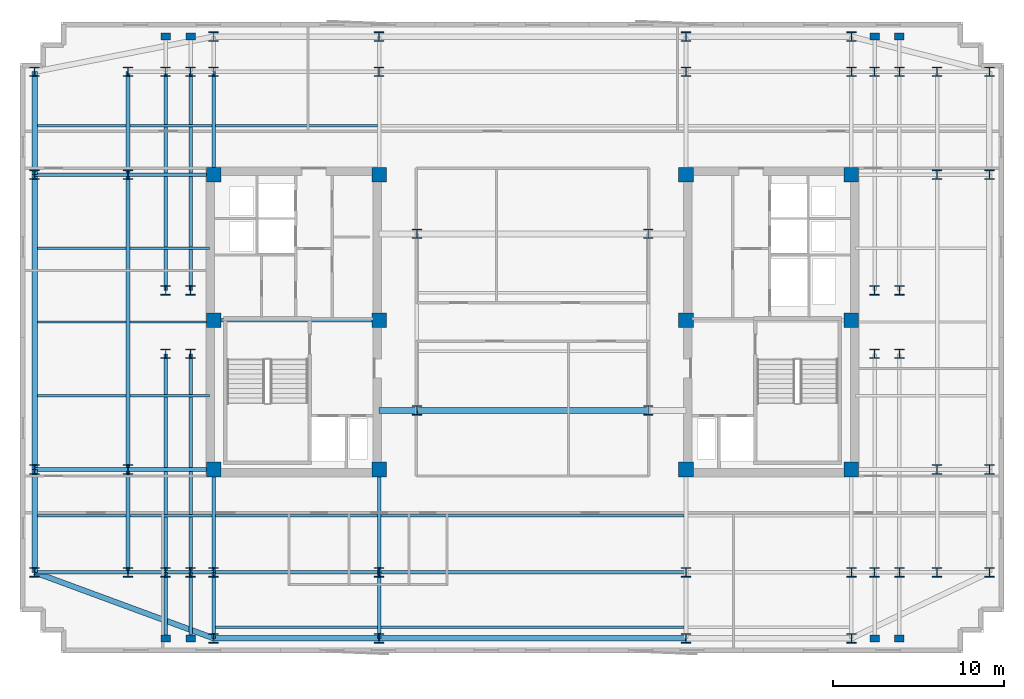
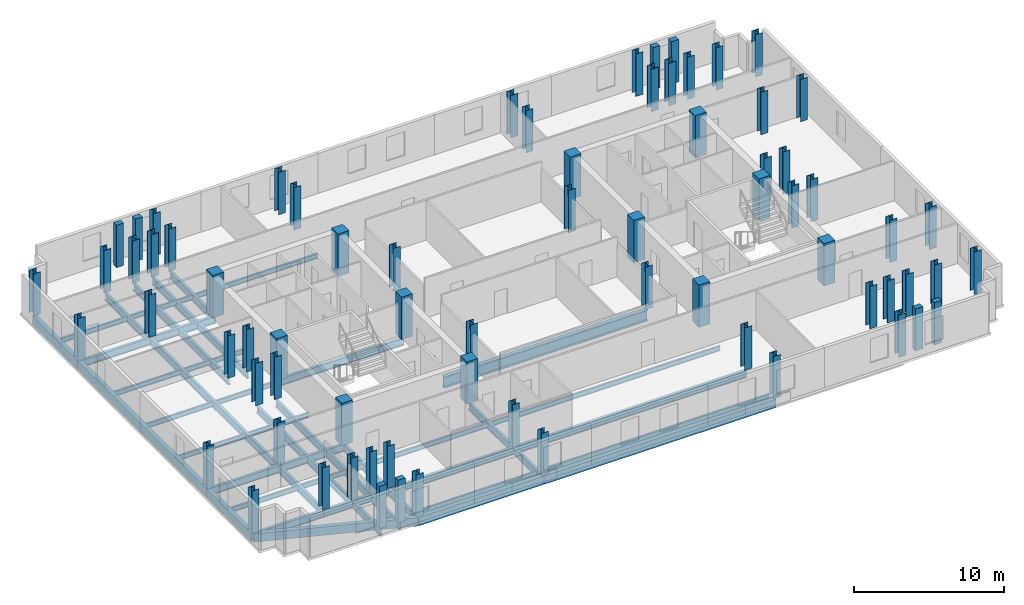
# One storey, part 1 of 9: 72 columns, 46 beams.
"""IFC4 building model written with IfcOpenShell, lengths in metres."""

from ifc_helpers import new_model, si_unit, direction, frame, origin, origin_2d, place, context, subcontext, project, spatial, rectangle, i_section, extrude, material, material_profile, profile_set, type_object, element, save


model = new_model("IFC4")

# Units and contexts
model_context = context("Model", 3, precision=1e-05, world=origin(), true_north=direction((0.0, 1.0)))
body_context = subcontext(model_context, "Body", "Model", "MODEL_VIEW")
ifc_project = project(units=[si_unit("LENGTHUNIT", "METRE"), si_unit("AREAUNIT", "SQUARE_METRE"), si_unit("VOLUMEUNIT", "CUBIC_METRE"), si_unit("PLANEANGLEUNIT", "RADIAN"), si_unit("MASSUNIT", "GRAM", prefix="KILO")], contexts=[model_context])

# Site, building, storey
site_placement = place(None, origin())
site = spatial("IfcSite", under=ifc_project, at=site_placement, CompositionType="ELEMENT")
building_placement = place(site_placement, origin())
building = spatial("IfcBuilding", under=site, at=building_placement, Name="Velakula Bourse", CompositionType="ELEMENT")
storey_placement = place(building_placement, frame((0.0, 0.0, 215.39990234375)))
storey = spatial("IfcBuildingStorey", under=building, at=storey_placement, Name="L58", CompositionType="ELEMENT", Elevation=215.39990234375)

# Columns
ifc_material_1 = material(Name="Concrete M50 (fck 50 MPa)", Category="concrete")
ifc_material_profile_1 = material_profile(ifc_material_1, rectangle(XDim=0.85009765625, YDim=0.85009765625, at=origin_2d()), Name="Concrete M50 (fck 50 MPa)")
ifc_profile_set_1 = profile_set([ifc_material_profile_1], Name="Concrete M50 (fck 50 MPa)")
column_type_1 = type_object("IfcColumnType", Name="COL-RC-850", PredefinedType="COLUMN", material=ifc_profile_set_1)
for number, where, z_axis, x_axis, name in (
    (1, (-8.949951171875, -8.60009765625, 0.0), (0.0, 0.0, 1.0), (1.0, 0.0, 0.0), "L58 Core Boundary Column 01"),
    (2, (-8.949951171875, 0.10009765625, 0.0), (0.0, 0.0, 1.0), (1.0, 0.0, 0.0), "L58 Core Boundary Column 02"),
    (3, (-8.949951171875, 8.60009765625, 0.0), (0.0, 0.0, 1.0), (1.0, 0.0, 0.0), "L58 Core Boundary Column 03"),
    (4, (-18.60009765625, -8.60009765625, 0.0), (0.0, 0.0, 1.0), (1.0, 0.0, 0.0), "L58 Core Boundary Column 04"),
    (5, (-18.60009765625, 0.10009765625, 0.0), (0.0, 0.0, 1.0), (1.0, 0.0, 0.0), "L58 Core Boundary Column 05"),
    (6, (-18.60009765625, 8.60009765625, 0.0), (0.0, 0.0, 1.0), (1.0, 0.0, 0.0), "L58 Core Boundary Column 06"),
    (7, (8.949951171875, -8.60009765625, 0.0), (0.0, 0.0, 1.0), (1.0, 0.0, 0.0), "L58 Core Boundary Column 07"),
    (8, (8.949951171875, 0.10009765625, 0.0), (0.0, 0.0, 1.0), (1.0, 0.0, 0.0), "L58 Core Boundary Column 08"),
    (9, (8.949951171875, 8.60009765625, 0.0), (0.0, 0.0, 1.0), (1.0, 0.0, 0.0), "L58 Core Boundary Column 09"),
    (10, (18.60009765625, -8.60009765625, 0.0), (0.0, 0.0, 1.0), (1.0, 0.0, 0.0), "L58 Core Boundary Column 10"),
    (11, (18.60009765625, 0.10009765625, 0.0), (0.0, 0.0, 1.0), (1.0, 0.0, 0.0), "L58 Core Boundary Column 11"),
    (12, (18.60009765625, 8.60009765625, 0.0), (0.0, 0.0, 1.0), (1.0, 0.0, 0.0), "L58 Core Boundary Column 12"),
):
    element("IfcColumn", number, at=place(storey_placement, frame(where, z_axis=z_axis, x_axis=x_axis)), inside=storey, type_object=column_type_1, Name=name, PredefinedType="COLUMN", context=body_context, shape_type="SweptSolid", body=[
        extrude(rectangle(XDim=0.85009765625, YDim=0.85009765625, at=origin_2d()), origin(), (0.0, 0.0, 1.0), 3.4501953125),
    ])
ifc_material_2 = material(Name="Steel IS 2062 Grade 350 (E350)", Category="steel")
ifc_material_profile_2 = material_profile(ifc_material_2, i_section(OverallWidth=0.550048828125, OverallDepth=0.550048828125, WebThickness=0.02392578125, FlangeThickness=0.035888671875, at=origin_2d()), Name="Steel IS 2062 Grade 350 (E350)")
ifc_profile_set_2 = profile_set([ifc_material_profile_2], Name="Steel IS 2062 Grade 350 (E350)")
column_type_2 = type_object("IfcColumnType", Name="COL-STL-550", PredefinedType="COLUMN", material=ifc_profile_set_2)
for number, where, z_axis, x_axis, name in (
    (13, (-6.75, -5.14990234375, 0.0), (0.0, 0.0, 1.0), (1.0, 0.0, 0.0), "L58 Central Spine Column 01"),
    (14, (-6.75, 5.14990234375, 0.0), (0.0, 0.0, 1.0), (1.0, 0.0, 0.0), "L58 Central Spine Column 02"),
    (15, (6.75, -5.14990234375, 0.0), (0.0, 0.0, 1.0), (1.0, 0.0, 0.0), "L58 Central Spine Column 03"),
    (16, (6.75, 5.14990234375, 0.0), (0.0, 0.0, 1.0), (1.0, 0.0, 0.0), "L58 Central Spine Column 04"),
    (17, (-21.39990234375, -14.60009765625, 0.0), (0.0, 0.0, 1.0), (1.0, 0.0, 0.0), "L58 Tower Fulcrum Column 01"),
    (18, (-21.39990234375, 14.60009765625, 0.0), (0.0, 0.0, 1.0), (1.0, 0.0, 0.0), "L58 Tower Fulcrum Column 02"),
    (19, (-19.949951171875, -14.60009765625, 0.0), (0.0, 0.0, 1.0), (1.0, 0.0, 0.0), "L58 Tower Fulcrum Column 03"),
    (20, (-19.949951171875, 14.60009765625, 0.0), (0.0, 0.0, 1.0), (1.0, 0.0, 0.0), "L58 Tower Fulcrum Column 04"),
    (21, (-18.60009765625, -14.60009765625, 0.0), (0.0, 0.0, 1.0), (1.0, 0.0, 0.0), "L58 Tower Fulcrum Column 05"),
    (22, (-18.60009765625, 14.60009765625, 0.0), (0.0, 0.0, 1.0), (1.0, 0.0, 0.0), "L58 Tower Fulcrum Column 06"),
    (23, (-8.949951171875, -14.60009765625, 0.0), (0.0, 0.0, 1.0), (1.0, 0.0, 0.0), "L58 Tower Fulcrum Column 07"),
    (24, (-8.949951171875, 14.60009765625, 0.0), (0.0, 0.0, 1.0), (1.0, 0.0, 0.0), "L58 Tower Fulcrum Column 08"),
    (25, (8.949951171875, -14.60009765625, 0.0), (0.0, 0.0, 1.0), (1.0, 0.0, 0.0), "L58 Tower Fulcrum Column 09"),
    (26, (8.949951171875, 14.60009765625, 0.0), (0.0, 0.0, 1.0), (1.0, 0.0, 0.0), "L58 Tower Fulcrum Column 10"),
    (27, (18.60009765625, -14.60009765625, 0.0), (0.0, 0.0, 1.0), (1.0, 0.0, 0.0), "L58 Tower Fulcrum Column 11"),
    (28, (18.60009765625, 14.60009765625, 0.0), (0.0, 0.0, 1.0), (1.0, 0.0, 0.0), "L58 Tower Fulcrum Column 12"),
    (29, (19.949951171875, -14.60009765625, 0.0), (0.0, 0.0, 1.0), (1.0, 0.0, 0.0), "L58 Tower Fulcrum Column 13"),
    (30, (19.949951171875, 14.60009765625, 0.0), (0.0, 0.0, 1.0), (1.0, 0.0, 0.0), "L58 Tower Fulcrum Column 14"),
    (31, (21.39990234375, -14.60009765625, 0.0), (0.0, 0.0, 1.0), (1.0, 0.0, 0.0), "L58 Tower Fulcrum Column 15"),
    (32, (21.39990234375, 14.60009765625, 0.0), (0.0, 0.0, 1.0), (1.0, 0.0, 0.0), "L58 Tower Fulcrum Column 16"),
    (33, (-21.39990234375, -1.85009765625, 0.0), (0.0, 0.0, 1.0), (1.0, 0.0, 0.0), "L58 Tower Fulcrum Column 17"),
    (34, (-21.39990234375, 1.85009765625, 0.0), (0.0, 0.0, 1.0), (1.0, 0.0, 0.0), "L58 Tower Fulcrum Column 18"),
    (35, (-19.949951171875, -1.85009765625, 0.0), (0.0, 0.0, 1.0), (1.0, 0.0, 0.0), "L58 Tower Fulcrum Column 19"),
    (36, (-19.949951171875, 1.85009765625, 0.0), (0.0, 0.0, 1.0), (1.0, 0.0, 0.0), "L58 Tower Fulcrum Column 20"),
    (37, (19.949951171875, -1.85009765625, 0.0), (0.0, 0.0, 1.0), (1.0, 0.0, 0.0), "L58 Tower Fulcrum Column 21"),
    (38, (19.949951171875, 1.85009765625, 0.0), (0.0, 0.0, 1.0), (1.0, 0.0, 0.0), "L58 Tower Fulcrum Column 22"),
    (39, (21.39990234375, -1.85009765625, 0.0), (0.0, 0.0, 1.0), (1.0, 0.0, 0.0), "L58 Tower Fulcrum Column 23"),
    (40, (21.39990234375, 1.85009765625, 0.0), (0.0, 0.0, 1.0), (1.0, 0.0, 0.0), "L58 Tower Fulcrum Column 24"),
    (41, (-23.60009765625, -14.60009765625, 0.0), (0.0, 0.0, 1.0), (1.0, 0.0, 0.0), "L58 Mid-Wing Plumb Column 01"),
    (42, (-23.60009765625, -8.60009765625, 0.0), (0.0, 0.0, 1.0), (1.0, 0.0, 0.0), "L58 Mid-Wing Plumb Column 02"),
    (43, (-23.60009765625, 8.60009765625, 0.0), (0.0, 0.0, 1.0), (1.0, 0.0, 0.0), "L58 Mid-Wing Plumb Column 03"),
    (44, (-23.60009765625, 14.60009765625, 0.0), (0.0, 0.0, 1.0), (1.0, 0.0, 0.0), "L58 Mid-Wing Plumb Column 04"),
    (45, (23.60009765625, -14.60009765625, 0.0), (0.0, 0.0, 1.0), (1.0, 0.0, 0.0), "L58 Mid-Wing Plumb Column 05"),
    (46, (23.60009765625, -8.60009765625, 0.0), (0.0, 0.0, 1.0), (1.0, 0.0, 0.0), "L58 Mid-Wing Plumb Column 06"),
    (47, (23.60009765625, 8.60009765625, 0.0), (0.0, 0.0, 1.0), (1.0, 0.0, 0.0), "L58 Mid-Wing Plumb Column 07"),
    (48, (23.60009765625, 14.60009765625, 0.0), (0.0, 0.0, 1.0), (1.0, 0.0, 0.0), "L58 Mid-Wing Plumb Column 08"),
    (49, (-18.60009765625, -18.449951171875, 0.0), (0.0, 0.0, 1.0), (1.0, 0.0, 0.0), "L58 Block B5 Perimeter Column S1"),
    (50, (-8.949951171875, -18.449951171875, 0.0), (0.0, 0.0, 1.0), (1.0, 0.0, 0.0), "L58 Block B5 Perimeter Column S2"),
    (51, (8.949951171875, -18.449951171875, 0.0), (0.0, 0.0, 1.0), (1.0, 0.0, 0.0), "L58 Block B5 Perimeter Column S3"),
    (52, (18.60009765625, -18.449951171875, 0.0), (0.0, 0.0, 1.0), (1.0, 0.0, 0.0), "L58 Block B5 Perimeter Column S4"),
    (53, (-18.60009765625, 16.64990234375, 0.0), (0.0, 0.0, 1.0), (1.0, 0.0, 0.0), "L58 Block B5 Perimeter Column N1"),
    (54, (-8.949951171875, 16.64990234375, 0.0), (0.0, 0.0, 1.0), (1.0, 0.0, 0.0), "L58 Block B5 Perimeter Column N2"),
    (55, (8.949951171875, 16.64990234375, 0.0), (0.0, 0.0, 1.0), (1.0, 0.0, 0.0), "L58 Block B5 Perimeter Column N3"),
    (56, (18.60009765625, 16.64990234375, 0.0), (0.0, 0.0, 1.0), (1.0, 0.0, 0.0), "L58 Block B5 Perimeter Column N4"),
    (57, (-29.050048828125, -14.60009765625, 0.0), (0.0, 0.0, 1.0), (1.0, 0.0, 0.0), "L58 Block B5 Perimeter Column W1"),
    (58, (-29.050048828125, -8.60009765625, 0.0), (0.0, 0.0, 1.0), (1.0, 0.0, 0.0), "L58 Block B5 Perimeter Column W2"),
    (59, (-29.050048828125, 8.60009765625, 0.0), (0.0, 0.0, 1.0), (1.0, 0.0, 0.0), "L58 Block B5 Perimeter Column W3"),
    (60, (-29.050048828125, 14.60009765625, 0.0), (0.0, 0.0, 1.0), (1.0, 0.0, 0.0), "L58 Block B5 Perimeter Column W4"),
    (61, (26.64990234375, -14.60009765625, 0.0), (0.0, 0.0, 1.0), (1.0, 0.0, 0.0), "L58 Block B5 Perimeter Column E1"),
    (62, (26.64990234375, -8.60009765625, 0.0), (0.0, 0.0, 1.0), (1.0, 0.0, 0.0), "L58 Block B5 Perimeter Column E2"),
    (63, (26.64990234375, 8.60009765625, 0.0), (0.0, 0.0, 1.0), (1.0, 0.0, 0.0), "L58 Block B5 Perimeter Column E3"),
    (64, (26.64990234375, 14.60009765625, 0.0), (0.0, 0.0, 1.0), (1.0, 0.0, 0.0), "L58 Block B5 Perimeter Column E4"),
):
    element("IfcColumn", number, at=place(storey_placement, frame(where, z_axis=z_axis, x_axis=x_axis)), inside=storey, type_object=column_type_2, Name=name, PredefinedType="COLUMN", context=body_context, shape_type="SweptSolid", body=[
        extrude(i_section(OverallWidth=0.550048828125, OverallDepth=0.550048828125, WebThickness=0.02392578125, FlangeThickness=0.035888671875, at=origin_2d()), origin(), (0.0, 0.0, 1.0), 3.4501953125),
    ])
ifc_material_3 = material(Name="Precast concrete M45 (fck 45 MPa)", Category="concrete")
ifc_material_profile_3 = material_profile(ifc_material_3, rectangle(XDim=0.550048828125, YDim=0.39990234375, at=origin_2d()), Name="Precast concrete M45 (fck 45 MPa)")
ifc_profile_set_3 = profile_set([ifc_material_profile_3], Name="Precast concrete M45 (fck 45 MPa)")
column_type_3 = type_object("IfcColumnType", Name="PIL-BRICK-550", PredefinedType="PILASTER", material=ifc_profile_set_3)
for number, where, z_axis, x_axis, name in (
    (65, (-21.39990234375, -18.449951171875, 0.0), (0.0, 0.0, 1.0), (1.0, 0.0, 0.0), "L58 Brick Pier Pilaster 01"),
    (66, (-19.949951171875, -18.449951171875, 0.0), (0.0, 0.0, 1.0), (1.0, 0.0, 0.0), "L58 Brick Pier Pilaster 02"),
    (67, (19.949951171875, -18.449951171875, 0.0), (0.0, 0.0, 1.0), (1.0, 0.0, 0.0), "L58 Brick Pier Pilaster 03"),
    (68, (21.39990234375, -18.449951171875, 0.0), (0.0, 0.0, 1.0), (1.0, 0.0, 0.0), "L58 Brick Pier Pilaster 04"),
    (69, (-21.39990234375, 16.64990234375, 0.0), (0.0, 0.0, 1.0), (1.0, 0.0, 0.0), "L58 Brick Pier Pilaster 05"),
    (70, (-19.949951171875, 16.64990234375, 0.0), (0.0, 0.0, 1.0), (1.0, 0.0, 0.0), "L58 Brick Pier Pilaster 06"),
    (71, (19.949951171875, 16.64990234375, 0.0), (0.0, 0.0, 1.0), (1.0, 0.0, 0.0), "L58 Brick Pier Pilaster 07"),
    (72, (21.39990234375, 16.64990234375, 0.0), (0.0, 0.0, 1.0), (1.0, 0.0, 0.0), "L58 Brick Pier Pilaster 08"),
):
    element("IfcColumn", number, at=place(storey_placement, frame(where, z_axis=z_axis, x_axis=x_axis)), inside=storey, type_object=column_type_3, Name=name, PredefinedType="PILASTER", context=body_context, shape_type="SweptSolid", body=[
        extrude(rectangle(XDim=0.550048828125, YDim=0.39990234375, at=origin_2d()), origin(), (0.0, 0.0, 1.0), 3.4501953125),
    ])

# Beams
ifc_material_profile_4 = material_profile(ifc_material_2, i_section(OverallWidth=0.2099609375, OverallDepth=0.60009765625, WebThickness=0.011962890625, FlangeThickness=0.020751953125, at=origin_2d()), Name="Steel IS 2062 Grade 350 (E350)")
ifc_profile_set_4 = profile_set([ifc_material_profile_4], Name="Steel IS 2062 Grade 350 (E350)")
beam_type_1 = type_object("IfcBeamType", Name="BM-GRD-600L", PredefinedType="BEAM", material=ifc_profile_set_4)
beam_1_placement = place(storey_placement, frame((-18.60009765625, 0.10009765625, -0.47998046875), z_axis=(1.0, 0.0, 0.0), x_axis=(0.0, 1.0, 0.0)))
element("IfcBeam", 73, at=beam_1_placement, inside=storey, type_object=beam_type_1, Name="L58 Primary Backbone Girder CRW-M", PredefinedType="BEAM", context=body_context, shape_type="SweptSolid", body=[
    extrude(i_section(OverallWidth=0.2099609375, OverallDepth=0.60009765625, WebThickness=0.011962890625, FlangeThickness=0.020751953125, at=origin_2d()), origin(), (0.0, 0.0, 1.0), 9.650146484375),
])
for number, where, z_axis, x_axis, name in (
    (74, (-18.60009765625, -14.60009765625, -0.47998046875), (0.0, 1.0, 0.0), (-1.0, 0.0, 0.0), "L58 Fulcrum Grid Girder FLC-WS"),
    (75, (-18.60009765625, 8.60009765625, -0.47998046875), (0.0, 1.0, 0.0), (-1.0, 0.0, 0.0), "L58 Fulcrum Grid Girder FLC-WN"),
    (76, (-8.949951171875, -14.60009765625, -0.47998046875), (0.0, 1.0, 0.0), (-1.0, 0.0, 0.0), "L58 Fulcrum Grid Girder FLC-WCS"),
):
    element("IfcBeam", number, at=place(storey_placement, frame(where, z_axis=z_axis, x_axis=x_axis)), inside=storey, type_object=beam_type_1, Name=name, PredefinedType="BEAM", context=body_context, shape_type="SweptSolid", body=[
        extrude(i_section(OverallWidth=0.2099609375, OverallDepth=0.60009765625, WebThickness=0.011962890625, FlangeThickness=0.020751953125, at=origin_2d()), origin(), (0.0, 0.0, 1.0), 6.0),
    ])
beam_2_placement = place(storey_placement, frame((-18.60009765625, -14.60009765625, -0.47998046875), z_axis=(1.0, 0.0, 0.0), x_axis=(0.0, 1.0, 0.0)))
element("IfcBeam", 77, at=beam_2_placement, inside=storey, type_object=beam_type_1, Name="L58 Fulcrum Grid Girder FLC-S1", PredefinedType="BEAM", context=body_context, shape_type="SweptSolid", body=[
    extrude(i_section(OverallWidth=0.2099609375, OverallDepth=0.60009765625, WebThickness=0.011962890625, FlangeThickness=0.020751953125, at=origin_2d()), origin(), (0.0, 0.0, 1.0), 9.650146484375),
])
beam_3_placement = place(storey_placement, frame((-8.949951171875, -14.60009765625, -0.47998046875), z_axis=(1.0, 0.0, 0.0), x_axis=(0.0, 1.0, 0.0)))
element("IfcBeam", 78, at=beam_3_placement, inside=storey, type_object=beam_type_1, Name="L58 Fulcrum Grid Girder FLC-S2", PredefinedType="BEAM", context=body_context, shape_type="SweptSolid", body=[
    extrude(i_section(OverallWidth=0.2099609375, OverallDepth=0.60009765625, WebThickness=0.011962890625, FlangeThickness=0.020751953125, at=origin_2d()), origin(), (0.0, 0.0, 1.0), 17.89990234375),
])
for number, where, z_axis, x_axis, name in (
    (79, (-21.39990234375, -14.60009765625, -0.47998046875), (0.0, 1.0, 0.0), (-1.0, 0.0, 0.0), "L58 Fulcrum Grid Girder FLC-PSW1"),
    (80, (-21.39990234375, 1.85009765625, -0.47998046875), (0.0, 1.0, 0.0), (-1.0, 0.0, 0.0), "L58 Fulcrum Grid Girder FLC-PNW1"),
    (81, (-19.949951171875, -14.60009765625, -0.47998046875), (0.0, 1.0, 0.0), (-1.0, 0.0, 0.0), "L58 Fulcrum Grid Girder FLC-PSW2"),
    (82, (-19.949951171875, 1.85009765625, -0.47998046875), (0.0, 1.0, 0.0), (-1.0, 0.0, 0.0), "L58 Fulcrum Grid Girder FLC-PNW2"),
):
    element("IfcBeam", number, at=place(storey_placement, frame(where, z_axis=z_axis, x_axis=x_axis)), inside=storey, type_object=beam_type_1, Name=name, PredefinedType="BEAM", context=body_context, shape_type="SweptSolid", body=[
        extrude(i_section(OverallWidth=0.2099609375, OverallDepth=0.60009765625, WebThickness=0.011962890625, FlangeThickness=0.020751953125, at=origin_2d()), origin(), (0.0, 0.0, 1.0), 12.75),
    ])
for number, where, z_axis, x_axis, name in (
    (83, (-23.60009765625, -14.60009765625, -0.47998046875), (1.0, 0.0, 0.0), (0.0, 1.0, 0.0), "L58 Fulcrum Grid Girder MWG-WS1"),
    (84, (-23.60009765625, -8.60009765625, -0.47998046875), (1.0, 0.0, 0.0), (0.0, 1.0, 0.0), "L58 Fulcrum Grid Girder MWG-WS2"),
    (85, (-23.60009765625, 8.60009765625, -0.47998046875), (1.0, 0.0, 0.0), (0.0, 1.0, 0.0), "L58 Fulcrum Grid Girder MWG-WN1"),
):
    element("IfcBeam", number, at=place(storey_placement, frame(where, z_axis=z_axis, x_axis=x_axis)), inside=storey, type_object=beam_type_1, Name=name, PredefinedType="BEAM", context=body_context, shape_type="SweptSolid", body=[
        extrude(i_section(OverallWidth=0.2099609375, OverallDepth=0.60009765625, WebThickness=0.011962890625, FlangeThickness=0.020751953125, at=origin_2d()), origin(), (0.0, 0.0, 1.0), 5.0),
    ])
beam_4_placement = place(storey_placement, frame((-23.60009765625, -14.60009765625, -0.47998046875), z_axis=(0.0, 1.0, 0.0), x_axis=(-1.0, 0.0, 0.0)))
element("IfcBeam", 86, at=beam_4_placement, inside=storey, type_object=beam_type_1, Name="L58 Fulcrum Grid Girder MWG-WNS1", PredefinedType="BEAM", context=body_context, shape_type="SweptSolid", body=[
    extrude(i_section(OverallWidth=0.2099609375, OverallDepth=0.60009765625, WebThickness=0.011962890625, FlangeThickness=0.020751953125, at=origin_2d()), origin(), (0.0, 0.0, 1.0), 6.0),
])
beam_5_placement = place(storey_placement, frame((-23.60009765625, -8.60009765625, -0.47998046875), z_axis=(0.0, 1.0, 0.0), x_axis=(-1.0, 0.0, 0.0)))
element("IfcBeam", 87, at=beam_5_placement, inside=storey, type_object=beam_type_1, Name="L58 Fulcrum Grid Girder MWG-WNS2", PredefinedType="BEAM", context=body_context, shape_type="SweptSolid", body=[
    extrude(i_section(OverallWidth=0.2099609375, OverallDepth=0.60009765625, WebThickness=0.011962890625, FlangeThickness=0.020751953125, at=origin_2d()), origin(), (0.0, 0.0, 1.0), 17.2001953125),
])
beam_6_placement = place(storey_placement, frame((-23.60009765625, 8.60009765625, -0.47998046875), z_axis=(0.0, 1.0, 0.0), x_axis=(-1.0, 0.0, 0.0)))
element("IfcBeam", 88, at=beam_6_placement, inside=storey, type_object=beam_type_1, Name="L58 Fulcrum Grid Girder MWG-WNS3", PredefinedType="BEAM", context=body_context, shape_type="SweptSolid", body=[
    extrude(i_section(OverallWidth=0.2099609375, OverallDepth=0.60009765625, WebThickness=0.011962890625, FlangeThickness=0.020751953125, at=origin_2d()), origin(), (0.0, 0.0, 1.0), 6.0),
])
for number, where, z_axis, x_axis, name in (
    (89, (-18.60009765625, -14.60009765625, -0.47998046875), (0.0, -1.0, 0.0), (1.0, 0.0, 0.0), "L58 Perimeter Tie Girder S1"),
    (90, (-8.949951171875, -14.60009765625, -0.47998046875), (0.0, -1.0, 0.0), (1.0, 0.0, 0.0), "L58 Perimeter Tie Girder S2"),
):
    element("IfcBeam", number, at=place(storey_placement, frame(where, z_axis=z_axis, x_axis=x_axis)), inside=storey, type_object=beam_type_1, Name=name, PredefinedType="BEAM", context=body_context, shape_type="SweptSolid", body=[
        extrude(i_section(OverallWidth=0.2099609375, OverallDepth=0.60009765625, WebThickness=0.011962890625, FlangeThickness=0.020751953125, at=origin_2d()), origin(), (0.0, 0.0, 1.0), 3.849853515625),
    ])
for number, where, z_axis, x_axis, name in (
    (91, (-23.60009765625, -14.60009765625, -0.47998046875), (-1.0, 0.0, 0.0), (0.0, -1.0, 0.0), "L58 Perimeter Tie Girder W1"),
    (92, (-23.60009765625, -8.60009765625, -0.47998046875), (-1.0, 0.0, 0.0), (0.0, -1.0, 0.0), "L58 Perimeter Tie Girder W2"),
    (93, (-23.60009765625, 8.60009765625, -0.47998046875), (-1.0, 0.0, 0.0), (0.0, -1.0, 0.0), "L58 Perimeter Tie Girder W3"),
):
    element("IfcBeam", number, at=place(storey_placement, frame(where, z_axis=z_axis, x_axis=x_axis)), inside=storey, type_object=beam_type_1, Name=name, PredefinedType="BEAM", context=body_context, shape_type="SweptSolid", body=[
        extrude(i_section(OverallWidth=0.2099609375, OverallDepth=0.60009765625, WebThickness=0.011962890625, FlangeThickness=0.020751953125, at=origin_2d()), origin(), (0.0, 0.0, 1.0), 5.449951171875),
    ])
for number, where, z_axis, x_axis, name in (
    (94, (-21.39990234375, -14.60009765625, -0.47998046875), (0.0, -1.0, 0.0), (1.0, 0.0, 0.0), "L58 Perimeter Tie Girder P01"),
    (95, (-19.949951171875, -14.60009765625, -0.47998046875), (0.0, -1.0, 0.0), (1.0, 0.0, 0.0), "L58 Perimeter Tie Girder P02"),
):
    element("IfcBeam", number, at=place(storey_placement, frame(where, z_axis=z_axis, x_axis=x_axis)), inside=storey, type_object=beam_type_1, Name=name, PredefinedType="BEAM", context=body_context, shape_type="SweptSolid", body=[
        extrude(i_section(OverallWidth=0.2099609375, OverallDepth=0.60009765625, WebThickness=0.011962890625, FlangeThickness=0.020751953125, at=origin_2d()), origin(), (0.0, 0.0, 1.0), 3.849853515625),
    ])
ifc_material_profile_5 = material_profile(ifc_material_2, i_section(OverallWidth=0.35009765625, OverallDepth=0.89990234375, WebThickness=0.02001953125, FlangeThickness=0.031982421875, at=origin_2d()), Name="Steel IS 2062 Grade 350 (E350)")
ifc_profile_set_5 = profile_set([ifc_material_profile_5], Name="Steel IS 2062 Grade 350 (E350)")
beam_type_2 = type_object("IfcBeamType", Name="BM-LNK-900", PredefinedType="BEAM", material=ifc_profile_set_5)
beam_7_placement = place(storey_placement, frame((-8.949951171875, -5.14990234375, -0.6298828125), z_axis=(1.0, 0.0, 0.0), x_axis=(0.0, 1.0, 0.0)))
element("IfcBeam", 96, at=beam_7_placement, inside=storey, type_object=beam_type_2, Name="L58 Primary Backbone Girder LNK-S1", PredefinedType="BEAM", context=body_context, shape_type="SweptSolid", body=[
    extrude(i_section(OverallWidth=0.35009765625, OverallDepth=0.89990234375, WebThickness=0.02001953125, FlangeThickness=0.031982421875, at=origin_2d()), origin(), (0.0, 0.0, 1.0), 2.199951171875),
])
beam_8_placement = place(storey_placement, frame((-6.75, -5.14990234375, -0.6298828125), z_axis=(1.0, 0.0, 0.0), x_axis=(0.0, 1.0, 0.0)))
element("IfcBeam", 97, at=beam_8_placement, inside=storey, type_object=beam_type_2, Name="L58 Primary Backbone Girder LNK-S2", PredefinedType="BEAM", context=body_context, shape_type="SweptSolid", body=[
    extrude(i_section(OverallWidth=0.35009765625, OverallDepth=0.89990234375, WebThickness=0.02001953125, FlangeThickness=0.031982421875, at=origin_2d()), origin(), (0.0, 0.0, 1.0), 13.5),
])
ifc_material_profile_6 = material_profile(ifc_material_2, i_section(OverallWidth=0.139892578125, OverallDepth=0.39990234375, WebThickness=0.0087890625, FlangeThickness=0.01611328125, at=origin_2d()), Name="Steel IS 2062 Grade 350 (E350)")
ifc_profile_set_6 = profile_set([ifc_material_profile_6], Name="Steel IS 2062 Grade 350 (E350)")
beam_type_3 = type_object("IfcBeamType", Name="JST-TWR-400", PredefinedType="JOIST", material=ifc_profile_set_6)
beam_9_placement = place(storey_placement, frame((-18.4951171875, -17.800048828125, -0.3798828125), z_axis=(1.0, 0.0, 0.0), x_axis=(0.0, 1.0, 0.0)))
element("IfcBeam", 98, at=beam_9_placement, inside=storey, type_object=beam_type_3, Name="L58 Trading Floor Composite Joist 01", PredefinedType="JOIST", context=body_context, shape_type="SweptSolid", body=[
    extrude(i_section(OverallWidth=0.139892578125, OverallDepth=0.39990234375, WebThickness=0.0087890625, FlangeThickness=0.01611328125, at=origin_2d()), origin(), (0.0, 0.0, 1.0), 9.440185546875),
])
beam_10_placement = place(storey_placement, frame((-8.844970703125, -17.800048828125, -0.3798828125), z_axis=(1.0, 0.0, 0.0), x_axis=(0.0, 1.0, 0.0)))
element("IfcBeam", 99, at=beam_10_placement, inside=storey, type_object=beam_type_3, Name="L58 Trading Floor Composite Joist 02", PredefinedType="JOIST", context=body_context, shape_type="SweptSolid", body=[
    extrude(i_section(OverallWidth=0.139892578125, OverallDepth=0.39990234375, WebThickness=0.0087890625, FlangeThickness=0.01611328125, at=origin_2d()), origin(), (0.0, 0.0, 1.0), 17.68994140625),
])
beam_11_placement = place(storey_placement, frame((-28.889892578125, -11.300048828125, -0.3798828125), z_axis=(1.0, 0.0, 0.0), x_axis=(0.0, 1.0, 0.0)))
element("IfcBeam", 100, at=beam_11_placement, inside=storey, type_object=beam_type_3, Name="L58 Trading Floor Composite Joist 04", PredefinedType="JOIST", context=body_context, shape_type="SweptSolid", body=[
    extrude(i_section(OverallWidth=0.139892578125, OverallDepth=0.39990234375, WebThickness=0.0087890625, FlangeThickness=0.01611328125, at=origin_2d()), origin(), (0.0, 0.0, 1.0), 5.184814453125),
])
beam_12_placement = place(storey_placement, frame((-23.4951171875, -11.300048828125, -0.3798828125), z_axis=(1.0, 0.0, 0.0), x_axis=(0.0, 1.0, 0.0)))
element("IfcBeam", 101, at=beam_12_placement, inside=storey, type_object=beam_type_3, Name="L58 Trading Floor Composite Joist 05", PredefinedType="JOIST", context=body_context, shape_type="SweptSolid", body=[
    extrude(i_section(OverallWidth=0.139892578125, OverallDepth=0.39990234375, WebThickness=0.0087890625, FlangeThickness=0.01611328125, at=origin_2d()), origin(), (0.0, 0.0, 1.0), 4.7900390625),
])
beam_13_placement = place(storey_placement, frame((-18.4951171875, -11.300048828125, -0.3798828125), z_axis=(1.0, 0.0, 0.0), x_axis=(0.0, 1.0, 0.0)))
element("IfcBeam", 102, at=beam_13_placement, inside=storey, type_object=beam_type_3, Name="L58 Trading Floor Composite Joist 06", PredefinedType="JOIST", context=body_context, shape_type="SweptSolid", body=[
    extrude(i_section(OverallWidth=0.139892578125, OverallDepth=0.39990234375, WebThickness=0.0087890625, FlangeThickness=0.01611328125, at=origin_2d()), origin(), (0.0, 0.0, 1.0), 9.440185546875),
])
beam_14_placement = place(storey_placement, frame((-8.844970703125, -11.300048828125, -0.3798828125), z_axis=(1.0, 0.0, 0.0), x_axis=(0.0, 1.0, 0.0)))
element("IfcBeam", 103, at=beam_14_placement, inside=storey, type_object=beam_type_3, Name="L58 Trading Floor Composite Joist 07", PredefinedType="JOIST", context=body_context, shape_type="SweptSolid", body=[
    extrude(i_section(OverallWidth=0.139892578125, OverallDepth=0.39990234375, WebThickness=0.0087890625, FlangeThickness=0.01611328125, at=origin_2d()), origin(), (0.0, 0.0, 1.0), 17.68994140625),
])
beam_15_placement = place(storey_placement, frame((-28.889892578125, 11.449951171875, -0.3798828125), z_axis=(1.0, 0.0, 0.0), x_axis=(0.0, 1.0, 0.0)))
element("IfcBeam", 104, at=beam_15_placement, inside=storey, type_object=beam_type_3, Name="L58 Trading Floor Composite Joist 11", PredefinedType="JOIST", context=body_context, shape_type="SweptSolid", body=[
    extrude(i_section(OverallWidth=0.139892578125, OverallDepth=0.39990234375, WebThickness=0.0087890625, FlangeThickness=0.01611328125, at=origin_2d()), origin(), (0.0, 0.0, 1.0), 5.184814453125),
])
beam_16_placement = place(storey_placement, frame((-23.4951171875, 11.449951171875, -0.3798828125), z_axis=(1.0, 0.0, 0.0), x_axis=(0.0, 1.0, 0.0)))
element("IfcBeam", 105, at=beam_16_placement, inside=storey, type_object=beam_type_3, Name="L58 Trading Floor Composite Joist 12", PredefinedType="JOIST", context=body_context, shape_type="SweptSolid", body=[
    extrude(i_section(OverallWidth=0.139892578125, OverallDepth=0.39990234375, WebThickness=0.0087890625, FlangeThickness=0.01611328125, at=origin_2d()), origin(), (0.0, 0.0, 1.0), 4.7900390625),
])
beam_17_placement = place(storey_placement, frame((-18.4951171875, 11.449951171875, -0.3798828125), z_axis=(1.0, 0.0, 0.0), x_axis=(0.0, 1.0, 0.0)))
element("IfcBeam", 106, at=beam_17_placement, inside=storey, type_object=beam_type_3, Name="L58 Trading Floor Composite Joist 13", PredefinedType="JOIST", context=body_context, shape_type="SweptSolid", body=[
    extrude(i_section(OverallWidth=0.139892578125, OverallDepth=0.39990234375, WebThickness=0.0087890625, FlangeThickness=0.01611328125, at=origin_2d()), origin(), (0.0, 0.0, 1.0), 9.440185546875),
])
beam_18_placement = place(storey_placement, frame((-28.889892578125, -4.300048828125, -0.3798828125), z_axis=(1.0, 0.0, 0.0), x_axis=(0.0, 1.0, 0.0)))
element("IfcBeam", 107, at=beam_18_placement, inside=storey, type_object=beam_type_3, Name="L58 Trading Floor Composite Joist 20", PredefinedType="JOIST", context=body_context, shape_type="SweptSolid", body=[
    extrude(i_section(OverallWidth=0.139892578125, OverallDepth=0.39990234375, WebThickness=0.0087890625, FlangeThickness=0.01611328125, at=origin_2d()), origin(), (0.0, 0.0, 1.0), 5.184814453125),
])
beam_19_placement = place(storey_placement, frame((-23.4951171875, -4.300048828125, -0.3798828125), z_axis=(1.0, 0.0, 0.0), x_axis=(0.0, 1.0, 0.0)))
element("IfcBeam", 108, at=beam_19_placement, inside=storey, type_object=beam_type_3, Name="L58 Trading Floor Composite Joist 21", PredefinedType="JOIST", context=body_context, shape_type="SweptSolid", body=[
    extrude(i_section(OverallWidth=0.139892578125, OverallDepth=0.39990234375, WebThickness=0.0087890625, FlangeThickness=0.01611328125, at=origin_2d()), origin(), (0.0, 0.0, 1.0), 4.64501953125),
])
beam_20_placement = place(storey_placement, frame((-28.889892578125, 0.0, -0.3798828125), z_axis=(1.0, 0.0, 0.0), x_axis=(0.0, 1.0, 0.0)))
element("IfcBeam", 109, at=beam_20_placement, inside=storey, type_object=beam_type_3, Name="L58 Trading Floor Composite Joist 24", PredefinedType="JOIST", context=body_context, shape_type="SweptSolid", body=[
    extrude(i_section(OverallWidth=0.139892578125, OverallDepth=0.39990234375, WebThickness=0.0087890625, FlangeThickness=0.01611328125, at=origin_2d()), origin(), (0.0, 0.0, 1.0), 5.184814453125),
])
beam_21_placement = place(storey_placement, frame((-23.4951171875, 0.0, -0.3798828125), z_axis=(1.0, 0.0, 0.0), x_axis=(0.0, 1.0, 0.0)))
element("IfcBeam", 110, at=beam_21_placement, inside=storey, type_object=beam_type_3, Name="L58 Trading Floor Composite Joist 25", PredefinedType="JOIST", context=body_context, shape_type="SweptSolid", body=[
    extrude(i_section(OverallWidth=0.139892578125, OverallDepth=0.39990234375, WebThickness=0.0087890625, FlangeThickness=0.01611328125, at=origin_2d()), origin(), (0.0, 0.0, 1.0), 4.64501953125),
])
beam_22_placement = place(storey_placement, frame((-28.889892578125, 4.300048828125, -0.3798828125), z_axis=(1.0, 0.0, 0.0), x_axis=(0.0, 1.0, 0.0)))
element("IfcBeam", 111, at=beam_22_placement, inside=storey, type_object=beam_type_3, Name="L58 Trading Floor Composite Joist 28", PredefinedType="JOIST", context=body_context, shape_type="SweptSolid", body=[
    extrude(i_section(OverallWidth=0.139892578125, OverallDepth=0.39990234375, WebThickness=0.0087890625, FlangeThickness=0.01611328125, at=origin_2d()), origin(), (0.0, 0.0, 1.0), 5.184814453125),
])
beam_23_placement = place(storey_placement, frame((-23.4951171875, 4.300048828125, -0.3798828125), z_axis=(1.0, 0.0, 0.0), x_axis=(0.0, 1.0, 0.0)))
element("IfcBeam", 112, at=beam_23_placement, inside=storey, type_object=beam_type_3, Name="L58 Trading Floor Composite Joist 29", PredefinedType="JOIST", context=body_context, shape_type="SweptSolid", body=[
    extrude(i_section(OverallWidth=0.139892578125, OverallDepth=0.39990234375, WebThickness=0.0087890625, FlangeThickness=0.01611328125, at=origin_2d()), origin(), (0.0, 0.0, 1.0), 4.64501953125),
])
ifc_material_profile_7 = material_profile(ifc_material_3, rectangle(XDim=0.320068359375, YDim=0.679931640625, at=origin_2d()), Name="Precast concrete M45 (fck 45 MPa)")
ifc_profile_set_7 = profile_set([ifc_material_profile_7], Name="Precast concrete M45 (fck 45 MPa)")
beam_type_4 = type_object("IfcBeamType", Name="SPN-BRICK-680", PredefinedType="SPANDREL", material=ifc_profile_set_7)
beam_24_placement = place(storey_placement, frame((-18.60009765625, -18.449951171875, -0.52001953125), z_axis=(1.0, 0.0, 0.0), x_axis=(0.0, 1.0, 0.0)))
element("IfcBeam", 113, at=beam_24_placement, inside=storey, type_object=beam_type_4, Name="L58 Brick-Faced Precast Spandrel S1-S2", PredefinedType="SPANDREL", context=body_context, shape_type="SweptSolid", body=[
    extrude(rectangle(XDim=0.320068359375, YDim=0.679931640625, at=origin_2d()), origin(), (0.0, 0.0, 1.0), 9.650146484375),
])
beam_25_placement = place(storey_placement, frame((-8.949951171875, -18.449951171875, -0.52001953125), z_axis=(1.0, 0.0, 0.0), x_axis=(0.0, 1.0, 0.0)))
element("IfcBeam", 114, at=beam_25_placement, inside=storey, type_object=beam_type_4, Name="L58 Brick-Faced Precast Spandrel S2-S3", PredefinedType="SPANDREL", context=body_context, shape_type="SweptSolid", body=[
    extrude(rectangle(XDim=0.320068359375, YDim=0.679931640625, at=origin_2d()), origin(), (0.0, 0.0, 1.0), 17.89990234375),
])
beam_26_placement = place(storey_placement, frame((-29.050048828125, -14.60009765625, -0.52001953125), z_axis=(0.0, 1.0, 0.0), x_axis=(-1.0, 0.0, 0.0)))
element("IfcBeam", 115, at=beam_26_placement, inside=storey, type_object=beam_type_4, Name="L58 Brick-Faced Precast Spandrel W1-W2", PredefinedType="SPANDREL", context=body_context, shape_type="SweptSolid", body=[
    extrude(rectangle(XDim=0.320068359375, YDim=0.679931640625, at=origin_2d()), origin(), (0.0, 0.0, 1.0), 6.0),
])
beam_27_placement = place(storey_placement, frame((-29.050048828125, -8.60009765625, -0.52001953125), z_axis=(0.0, 1.0, 0.0), x_axis=(-1.0, 0.0, 0.0)))
element("IfcBeam", 116, at=beam_27_placement, inside=storey, type_object=beam_type_4, Name="L58 Brick-Faced Precast Spandrel W2-W3", PredefinedType="SPANDREL", context=body_context, shape_type="SweptSolid", body=[
    extrude(rectangle(XDim=0.320068359375, YDim=0.679931640625, at=origin_2d()), origin(), (0.0, 0.0, 1.0), 17.2001953125),
])
beam_28_placement = place(storey_placement, frame((-29.050048828125, 8.60009765625, -0.52001953125), z_axis=(0.0, 1.0, 0.0), x_axis=(-1.0, 0.0, 0.0)))
element("IfcBeam", 117, at=beam_28_placement, inside=storey, type_object=beam_type_4, Name="L58 Brick-Faced Precast Spandrel W3-W4", PredefinedType="SPANDREL", context=body_context, shape_type="SweptSolid", body=[
    extrude(rectangle(XDim=0.320068359375, YDim=0.679931640625, at=origin_2d()), origin(), (0.0, 0.0, 1.0), 6.0),
])
beam_29_placement = place(storey_placement, frame((-29.050048828125, -14.60009765625, -0.52001953125), z_axis=(0.93834685962, -0.34569519962, 0.0), x_axis=(0.34569519962, 0.93834685962, 0.0)))
element("IfcBeam", 118, at=beam_29_placement, inside=storey, type_object=beam_type_4, Name="L58 Brick-Faced Precast Spandrel W1-S1", PredefinedType="SPANDREL", context=body_context, shape_type="SweptSolid", body=[
    extrude(rectangle(XDim=0.320068359375, YDim=0.679931640625, at=origin_2d()), origin(), (0.0, 0.0, 1.0), 11.136474609375),
])

save(model, "model.ifc")
